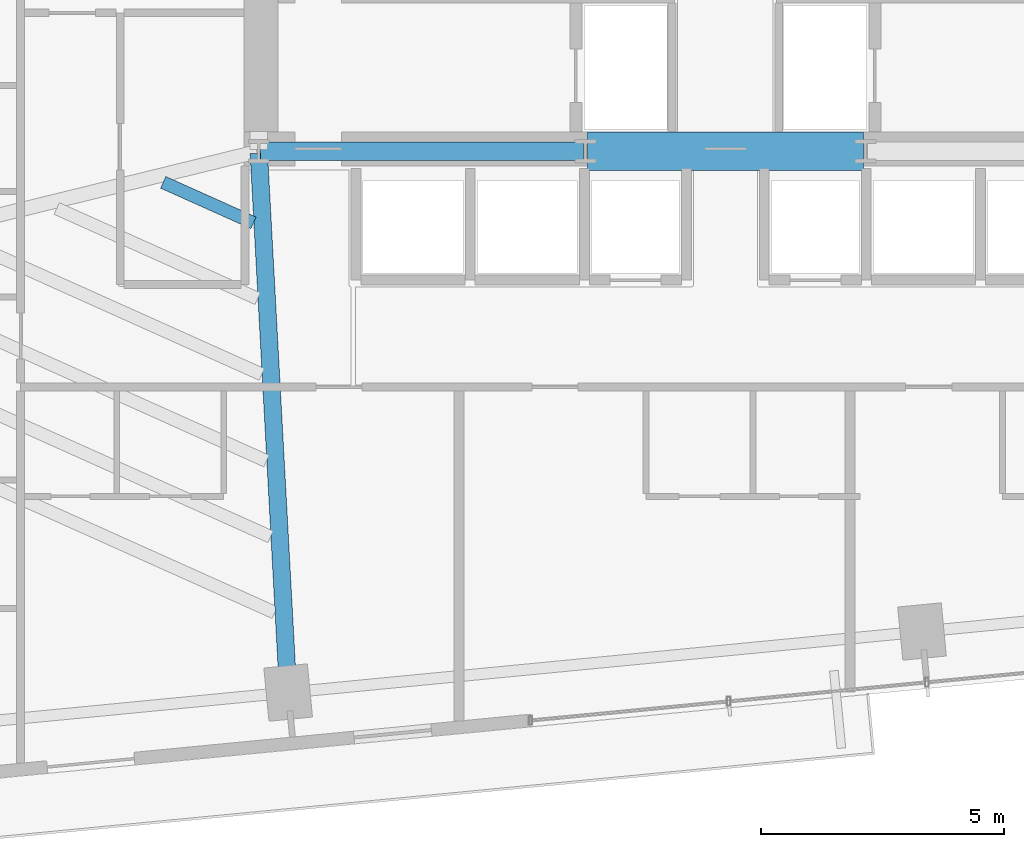
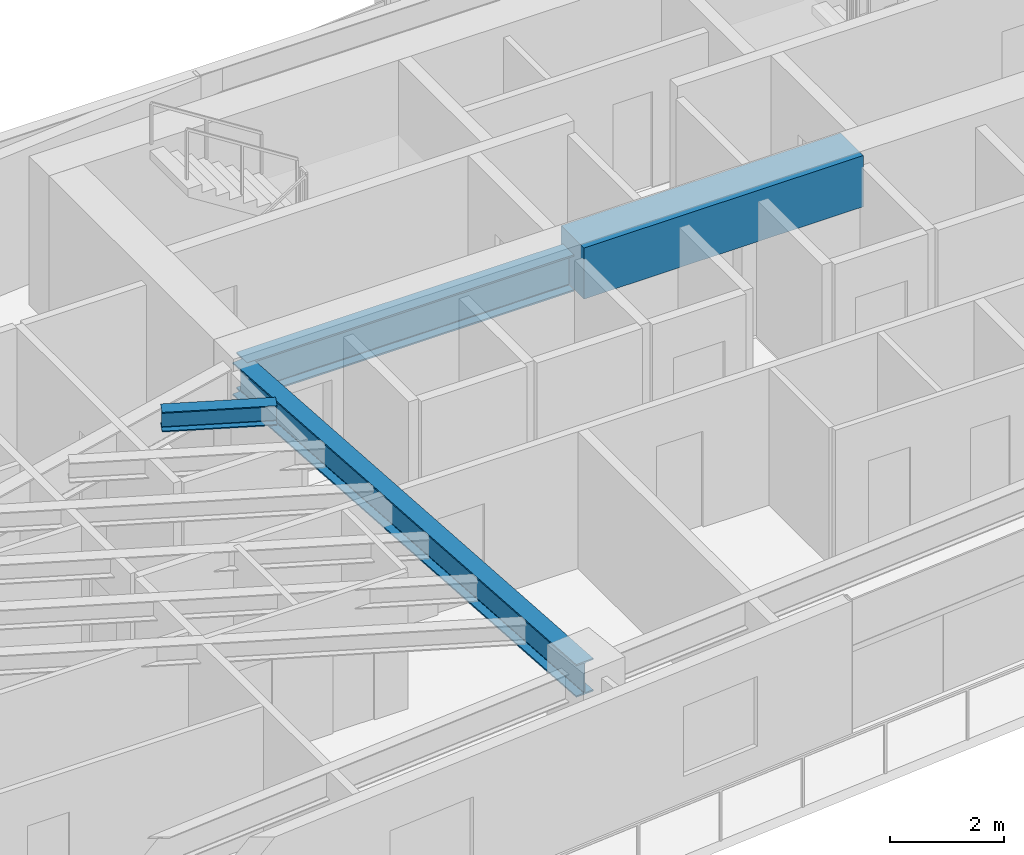
# One storey, part 7 of 25: 4 beams.
"""IFC4 building model written with IfcOpenShell, lengths in metres."""

from ifc_helpers import new_model, si_unit, direction, frame, origin, origin_2d, place, context, subcontext, project, spatial, rectangle, i_section, extrude, source, transform, mapped, material, material_profile, profile_set, type_object, type_shapes, element, save


model = new_model("IFC4")

# Units and contexts
model_context = context("Model", 3, precision=1e-05, world=origin(), true_north=direction((0.0, 1.0)))
body_context = subcontext(model_context, "Body", "Model", "MODEL_VIEW")
ifc_project = project(units=[si_unit("LENGTHUNIT", "METRE"), si_unit("AREAUNIT", "SQUARE_METRE"), si_unit("VOLUMEUNIT", "CUBIC_METRE"), si_unit("PLANEANGLEUNIT", "RADIAN"), si_unit("MASSUNIT", "GRAM", prefix="KILO")], contexts=[model_context])

# Site, building, storey
site_placement = place(None, origin())
site = spatial("IfcSite", under=ifc_project, at=site_placement, CompositionType="ELEMENT")
building_placement = place(site_placement, origin())
building = spatial("IfcBuilding", under=site, at=building_placement, Name="Astriad Promenade Condominiums", CompositionType="ELEMENT")
storey_placement = place(building_placement, frame((0.0, 0.0, 100.199951171875)))
storey = spatial("IfcBuildingStorey", under=building, at=storey_placement, Name="L28", CompositionType="ELEMENT", Elevation=100.199951171875)

# Beams
ifc_material_1 = material(Name="Steel ASTM A992 Grade 50", Category="steel")
ifc_material_profile_1 = material_profile(ifc_material_1, i_section(OverallWidth=0.3837890625, OverallDepth=0.785888671875, WebThickness=0.019775390625, FlangeThickness=0.033447265625, FilletRadius=0.021484375, at=origin_2d()), Name="W30X211")
ifc_profile_set_1 = profile_set([ifc_material_profile_1], Name="Steel ASTM A992 Grade 50")
beam_type_1 = type_object("IfcBeamType", Name="STEEL FLOOR GIRDER W30X211", PredefinedType="BEAM", material=ifc_profile_set_1)
shared_shape_1 = source(origin(), body_context, "Body", "SweptSolid", [
    extrude(i_section(OverallWidth=0.3837890625, OverallDepth=0.785888671875, WebThickness=0.019775390625, FlangeThickness=0.033447265625, FilletRadius=0.021484375, at=origin_2d()), origin(), (0.0, 0.0, 1.0), 6.64013671875),
])
type_shapes(beam_type_1, [shared_shape_1])
beam_1_placement = place(storey_placement, frame((26.43994140625, 17.39990234375, 2.547119140625), z_axis=(1.0, 0.0, 0.0), x_axis=(0.0, 1.0, 0.0)))
element("IfcBeam", 1, at=beam_1_placement, inside=storey, type_object=beam_type_1, Name="Core Ring Beam CG-S1-L28", PredefinedType="BEAM", context=body_context, shape_type="MappedRepresentation", body=[
    mapped(shared_shape_1, transform((0.0, 0.0, 0.0), scale=1.0)),
])
ifc_material_2 = material(Name="Concrete C80/95", Category="concrete")
ifc_material_profile_2 = material_profile(ifc_material_2, rectangle(XDim=0.800048828125, YDim=1.10009765625, at=origin_2d()), Name="RC-BM-800X1100")
ifc_profile_set_2 = profile_set([ifc_material_profile_2], Name="Concrete C80/95")
beam_type_2 = type_object("IfcBeamType", Name="CONCRETE CORE COUPLING LINTEL 800X1100", PredefinedType="LINTEL", material=ifc_profile_set_2)
shared_shape_2 = source(origin(), body_context, "Body", "SweptSolid", [
    extrude(rectangle(XDim=0.800048828125, YDim=1.10009765625, at=origin_2d()), origin(), (0.0, 0.0, 1.0), 5.68017578125),
])
type_shapes(beam_type_2, [shared_shape_2])
beam_2_placement = place(storey_placement, frame((33.159912109375, 17.39990234375, 2.630126953125), z_axis=(1.0, 0.0, 0.0), x_axis=(0.0, 1.0, 0.0)))
element("IfcBeam", 2, at=beam_2_placement, inside=storey, type_object=beam_type_2, Name="Core Ring Beam CG-S2-L28", PredefinedType="LINTEL", context=body_context, shape_type="MappedRepresentation", body=[
    mapped(shared_shape_2, transform((0.0, 0.0, 0.0), scale=1.0)),
])
ifc_material_profile_3 = material_profile(ifc_material_1, i_section(OverallWidth=0.35791015625, OverallDepth=0.706298828125, WebThickness=0.018310546875, FlangeThickness=0.0302734375, FilletRadius=0.020263671875, at=origin_2d()), Name="W27X178")
ifc_profile_set_3 = profile_set([ifc_material_profile_3], Name="Steel ASTM A992 Grade 50")
beam_type_3 = type_object("IfcBeamType", Name="STEEL FLOOR GIRDER W27X178", PredefinedType="BEAM", material=ifc_profile_set_3)
shared_shape_3 = source(origin(), body_context, "Body", "SweptSolid", [
    extrude(i_section(OverallWidth=0.35791015625, OverallDepth=0.706298828125, WebThickness=0.018310546875, FlangeThickness=0.0302734375, FilletRadius=0.020263671875, at=origin_2d()), origin(), (0.0, 0.0, 1.0), 11.071533203125),
])
type_shapes(beam_type_3, [shared_shape_3])
beam_3_placement = place(storey_placement, frame((27.00341796875, 6.304931640625, 2.5869140625), z_axis=(-0.05431219074, 0.998524003686, 0.0), x_axis=(-0.998524003686, -0.05431219074, 0.0)))
element("IfcBeam", 3, at=beam_3_placement, inside=storey, type_object=beam_type_3, Name="Primary Floor Girder PG-W2-L28", PredefinedType="BEAM", context=body_context, shape_type="MappedRepresentation", body=[
    mapped(shared_shape_3, transform((0.0, 0.0, 0.0), scale=1.0)),
])
ifc_material_profile_4 = material_profile(ifc_material_1, i_section(OverallWidth=0.26318359375, OverallDepth=0.425537109375, WebThickness=0.01318359375, FlangeThickness=0.022216796875, FilletRadius=0.013916015625, at=origin_2d()), Name="W16X89")
ifc_profile_set_4 = profile_set([ifc_material_profile_4], Name="Steel ASTM A992 Grade 50")
beam_type_4 = type_object("IfcBeamType", Name="STEEL FLOOR JOIST W16X89", PredefinedType="JOIST", material=ifc_profile_set_4)
shared_shape_4 = source(origin(), body_context, "Body", "SweptSolid", [
    extrude(i_section(OverallWidth=0.26318359375, OverallDepth=0.425537109375, WebThickness=0.01318359375, FlangeThickness=0.022216796875, FilletRadius=0.013916015625, at=origin_2d()), origin(), (0.0, 0.0, 1.0), 2.03564453125),
])
type_shapes(beam_type_4, [shared_shape_4])
beam_4_placement = place(storey_placement, frame((24.434814453125, 16.76123046875, 2.727294921875), z_axis=(0.912286908711, -0.409551701492, 0.0), x_axis=(0.409551701492, 0.912286908711, 0.0)))
element("IfcBeam", 4, at=beam_4_placement, inside=storey, type_object=beam_type_4, Name="Secondary Composite Floor Joist JW1-6-L28", PredefinedType="JOIST", context=body_context, shape_type="MappedRepresentation", body=[
    mapped(shared_shape_4, transform((0.0, 0.0, 0.0), scale=1.0)),
])

save(model, "model.ifc")
